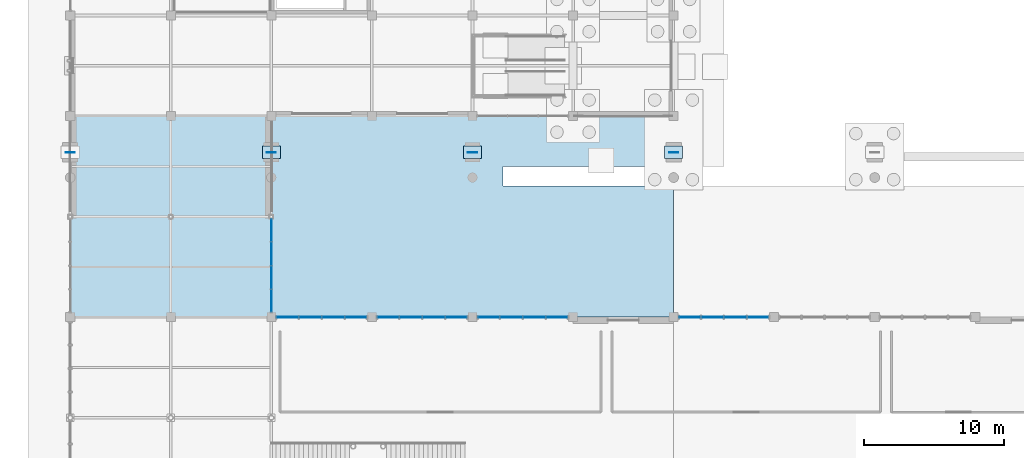
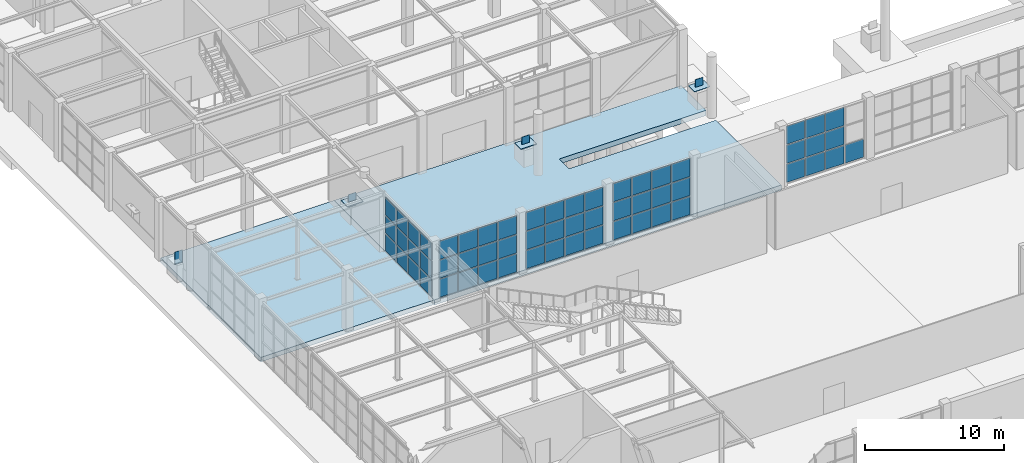
# One storey, part 40 of 75: 65 plates, 2 slabs, 5 elements without a shape of their own.
"""IFC4 building model written with IfcOpenShell, lengths in metres."""

from ifc_helpers import new_model, si_unit, direction, frame, origin, origin_2d, place, context, subcontext, project, spatial, polyline, rectangle, outline, extrude, material, layer, layer_set, type_object, element, aggregate, save


model = new_model("IFC4")

# Units and contexts
model_context = context("Model", 3, precision=1e-05, world=origin(), true_north=direction((0.0, 1.0)))
body_context = subcontext(model_context, "Body", "Model", "MODEL_VIEW")
ifc_project = project(units=[si_unit("LENGTHUNIT", "METRE"), si_unit("AREAUNIT", "SQUARE_METRE"), si_unit("VOLUMEUNIT", "CUBIC_METRE"), si_unit("PLANEANGLEUNIT", "RADIAN"), si_unit("MASSUNIT", "GRAM", prefix="KILO")], contexts=[model_context])

# Site, building, storey
site_placement = place(None, origin())
site = spatial("IfcSite", under=ifc_project, at=site_placement, CompositionType="ELEMENT")
building_placement = place(site_placement, origin())
building = spatial("IfcBuilding", under=site, at=building_placement, Name="Leyfeld Transit Interchange", CompositionType="ELEMENT")
storey_placement = place(building_placement, origin())
storey = spatial("IfcBuildingStorey", under=building, at=storey_placement, Name="L00", CompositionType="ELEMENT", Elevation=0.0)

# Curtain wall, plates
ifc_material_1 = material(Name="Anodised aluminium EN AW-6060 T66", Category="aluminium")
curtain_wall_type_1 = type_object("IfcCurtainWallType", Name="CW-SYS-PAS-7200", PredefinedType="NOTDEFINED", material=ifc_material_1)
curtain_wall_1_placement = place(storey_placement, origin())
curtain_wall_1 = element("IfcCurtainWall", 1, at=curtain_wall_1_placement, inside=storey, type_object=curtain_wall_type_1, Name="Curtain Wall CW-L00-010", PredefinedType="NOTDEFINED")
ifc_material_2 = material(Name="Triple low-E insulated glazing", Category="glass")
ifc_layer_1 = layer(ifc_material_2, 0.0380859375, Name="Triple low-E insulated glazing")
ifc_layer_set_1 = layer_set([ifc_layer_1], Name="Triple low-E insulated glazing")
plate_type_1 = type_object("IfcPlateType", Name="CW-PNL-GLZ-38", PredefinedType="CURTAIN_PANEL", material=ifc_layer_set_1)
plate_1_placement = place(storey_placement, frame((14.39990234375, 56.6201171875, 0.07373046875), z_axis=(0.0, 0.0, 1.0), x_axis=(0.0, -1.0, 0.0)))
plate_1 = element("IfcPlate", 2, at=plate_1_placement, type_object=plate_type_1, Name="Glazed Curtain Panel CW-L00-010-P01_1", PredefinedType="CURTAIN_PANEL", context=body_context, shape_type="SweptSolid", body=[
    extrude(rectangle(XDim=1.5830078125, YDim=0.0380859375, at=origin_2d()), origin(), (0.0, 0.0, 1.0), 1.512939453125),
])
plate_2_placement = place(storey_placement, frame((14.39990234375, 56.6201171875, 1.65869140625), z_axis=(0.0, 0.0, 1.0), x_axis=(0.0, -1.0, 0.0)))
plate_2 = element("IfcPlate", 3, at=plate_2_placement, type_object=plate_type_1, Name="Glazed Curtain Panel CW-L00-010-P01_2", PredefinedType="CURTAIN_PANEL", context=body_context, shape_type="SweptSolid", body=[
    extrude(rectangle(XDim=1.5830078125, YDim=0.0380859375, at=origin_2d()), origin(), (0.0, 0.0, 1.0), 1.512939453125),
])
plate_3_placement = place(storey_placement, frame((14.39990234375, 56.6201171875, 3.24365234375), z_axis=(0.0, 0.0, 1.0), x_axis=(0.0, -1.0, 0.0)))
plate_3 = element("IfcPlate", 4, at=plate_3_placement, type_object=plate_type_1, Name="Glazed Curtain Panel CW-L00-010-P01_3", PredefinedType="CURTAIN_PANEL", context=body_context, shape_type="SweptSolid", body=[
    extrude(rectangle(XDim=1.5830078125, YDim=0.0380859375, at=origin_2d()), origin(), (0.0, 0.0, 1.0), 1.512939453125),
])
plate_4_placement = place(storey_placement, frame((14.39990234375, 54.9462890625, 0.07373046875), z_axis=(0.0, 0.0, 1.0), x_axis=(0.0, -1.0, 0.0)))
plate_4 = element("IfcPlate", 5, at=plate_4_placement, type_object=plate_type_1, Name="Glazed Curtain Panel CW-L00-010-P02_1", PredefinedType="CURTAIN_PANEL", context=body_context, shape_type="SweptSolid", body=[
    extrude(rectangle(XDim=1.62060546875, YDim=0.0380859375, at=origin_2d()), origin(), (0.0, 0.0, 1.0), 1.512939453125),
])
plate_5_placement = place(storey_placement, frame((14.39990234375, 54.9462890625, 1.65869140625), z_axis=(0.0, 0.0, 1.0), x_axis=(0.0, -1.0, 0.0)))
plate_5 = element("IfcPlate", 6, at=plate_5_placement, type_object=plate_type_1, Name="Glazed Curtain Panel CW-L00-010-P02_2", PredefinedType="CURTAIN_PANEL", context=body_context, shape_type="SweptSolid", body=[
    extrude(rectangle(XDim=1.62060546875, YDim=0.0380859375, at=origin_2d()), origin(), (0.0, 0.0, 1.0), 1.512939453125),
])
plate_6_placement = place(storey_placement, frame((14.39990234375, 54.9462890625, 3.24365234375), z_axis=(0.0, 0.0, 1.0), x_axis=(0.0, -1.0, 0.0)))
plate_6 = element("IfcPlate", 7, at=plate_6_placement, type_object=plate_type_1, Name="Glazed Curtain Panel CW-L00-010-P02_3", PredefinedType="CURTAIN_PANEL", context=body_context, shape_type="SweptSolid", body=[
    extrude(rectangle(XDim=1.62060546875, YDim=0.0380859375, at=origin_2d()), origin(), (0.0, 0.0, 1.0), 1.512939453125),
])
plate_7_placement = place(storey_placement, frame((14.39990234375, 53.253662109375, 0.07373046875), z_axis=(0.0, 0.0, 1.0), x_axis=(0.0, -1.0, 0.0)))
plate_7 = element("IfcPlate", 8, at=plate_7_placement, type_object=plate_type_1, Name="Glazed Curtain Panel CW-L00-010-P03_1", PredefinedType="CURTAIN_PANEL", context=body_context, shape_type="SweptSolid", body=[
    extrude(rectangle(XDim=1.62060546875, YDim=0.0380859375, at=origin_2d()), origin(), (0.0, 0.0, 1.0), 1.512939453125),
])
plate_8_placement = place(storey_placement, frame((14.39990234375, 53.253662109375, 1.65869140625), z_axis=(0.0, 0.0, 1.0), x_axis=(0.0, -1.0, 0.0)))
plate_8 = element("IfcPlate", 9, at=plate_8_placement, type_object=plate_type_1, Name="Glazed Curtain Panel CW-L00-010-P03_2", PredefinedType="CURTAIN_PANEL", context=body_context, shape_type="SweptSolid", body=[
    extrude(rectangle(XDim=1.62060546875, YDim=0.0380859375, at=origin_2d()), origin(), (0.0, 0.0, 1.0), 1.512939453125),
])
plate_9_placement = place(storey_placement, frame((14.39990234375, 53.253662109375, 3.24365234375), z_axis=(0.0, 0.0, 1.0), x_axis=(0.0, -1.0, 0.0)))
plate_9 = element("IfcPlate", 10, at=plate_9_placement, type_object=plate_type_1, Name="Glazed Curtain Panel CW-L00-010-P03_3", PredefinedType="CURTAIN_PANEL", context=body_context, shape_type="SweptSolid", body=[
    extrude(rectangle(XDim=1.62060546875, YDim=0.0380859375, at=origin_2d()), origin(), (0.0, 0.0, 1.0), 1.512939453125),
])
plate_10_placement = place(storey_placement, frame((14.39990234375, 51.580078125, 0.07373046875), z_axis=(0.0, 0.0, 1.0), x_axis=(0.0, -1.0, 0.0)))
plate_10 = element("IfcPlate", 11, at=plate_10_placement, type_object=plate_type_1, Name="Glazed Curtain Panel CW-L00-010-P04_1", PredefinedType="CURTAIN_PANEL", context=body_context, shape_type="SweptSolid", body=[
    extrude(rectangle(XDim=1.5830078125, YDim=0.0380859375, at=origin_2d()), origin(), (0.0, 0.0, 1.0), 1.512939453125),
])
plate_11_placement = place(storey_placement, frame((14.39990234375, 51.580078125, 1.65869140625), z_axis=(0.0, 0.0, 1.0), x_axis=(0.0, -1.0, 0.0)))
plate_11 = element("IfcPlate", 12, at=plate_11_placement, type_object=plate_type_1, Name="Glazed Curtain Panel CW-L00-010-P04_2", PredefinedType="CURTAIN_PANEL", context=body_context, shape_type="SweptSolid", body=[
    extrude(rectangle(XDim=1.5830078125, YDim=0.0380859375, at=origin_2d()), origin(), (0.0, 0.0, 1.0), 1.512939453125),
])
plate_12_placement = place(storey_placement, frame((14.39990234375, 51.580078125, 3.24365234375), z_axis=(0.0, 0.0, 1.0), x_axis=(0.0, -1.0, 0.0)))
plate_12 = element("IfcPlate", 13, at=plate_12_placement, type_object=plate_type_1, Name="Glazed Curtain Panel CW-L00-010-P04_3", PredefinedType="CURTAIN_PANEL", context=body_context, shape_type="SweptSolid", body=[
    extrude(rectangle(XDim=1.5830078125, YDim=0.0380859375, at=origin_2d()), origin(), (0.0, 0.0, 1.0), 1.512939453125),
])
aggregate(curtain_wall_1, [plate_1, plate_2, plate_3, plate_4, plate_5, plate_6, plate_7, plate_8, plate_9, plate_10, plate_11, plate_12])

curtain_wall_type_2 = type_object("IfcCurtainWallType", Name="CW-SYS-ARC-7200", PredefinedType="NOTDEFINED", material=ifc_material_1)
curtain_wall_2_placement = place(storey_placement, origin())
curtain_wall_2 = element("IfcCurtainWall", 14, at=curtain_wall_2_placement, inside=storey, type_object=curtain_wall_type_2, Name="Curtain Wall CW-L00-011", PredefinedType="NOTDEFINED")
ifc_layer_2 = layer(ifc_material_2, 0.0439453125, Name="Triple low-E insulated glazing")
ifc_layer_set_2 = layer_set([ifc_layer_2], Name="Triple low-E insulated glazing")
plate_type_2 = type_object("IfcPlateType", Name="CW-PNL-GLZ-44", PredefinedType="CURTAIN_PANEL", material=ifc_layer_set_2)
plate_13_placement = place(storey_placement, frame((15.5576171875, 50.39990234375, 0.08349609375), z_axis=(0.0, 0.0, 1.0), x_axis=(1.0, 0.0, 0.0)))
plate_13 = element("IfcPlate", 15, at=plate_13_placement, type_object=plate_type_2, Name="Glazed Curtain Panel CW-L00-011-P01_1", PredefinedType="CURTAIN_PANEL", context=body_context, shape_type="SweptSolid", body=[
    extrude(rectangle(XDim=1.51806640625, YDim=0.0439453125, at=origin_2d()), origin(), (0.0, 0.0, 1.0), 1.589599609375),
])
plate_14_placement = place(storey_placement, frame((15.5576171875, 50.39990234375, 1.75537109375), z_axis=(0.0, 0.0, 1.0), x_axis=(1.0, 0.0, 0.0)))
plate_14 = element("IfcPlate", 16, at=plate_14_placement, type_object=plate_type_2, Name="Glazed Curtain Panel CW-L00-011-P01_2", PredefinedType="CURTAIN_PANEL", context=body_context, shape_type="SweptSolid", body=[
    extrude(rectangle(XDim=1.51806640625, YDim=0.0439453125, at=origin_2d()), origin(), (0.0, 0.0, 1.0), 1.589599609375),
])
plate_15_placement = place(storey_placement, frame((15.5576171875, 50.39990234375, 3.4267578125), z_axis=(0.0, 0.0, 1.0), x_axis=(1.0, 0.0, 0.0)))
plate_15 = element("IfcPlate", 17, at=plate_15_placement, type_object=plate_type_2, Name="Glazed Curtain Panel CW-L00-011-P01_3", PredefinedType="CURTAIN_PANEL", context=body_context, shape_type="SweptSolid", body=[
    extrude(rectangle(XDim=1.51806640625, YDim=0.0439453125, at=origin_2d()), origin(), (0.0, 0.0, 1.0), 1.589599609375),
])
plate_16_placement = place(storey_placement, frame((17.1787109375, 50.39990234375, 0.08349609375), z_axis=(0.0, 0.0, 1.0), x_axis=(1.0, 0.0, 0.0)))
plate_16 = element("IfcPlate", 18, at=plate_16_placement, type_object=plate_type_2, Name="Glazed Curtain Panel CW-L00-011-P02_1", PredefinedType="CURTAIN_PANEL", context=body_context, shape_type="SweptSolid", body=[
    extrude(rectangle(XDim=1.560546875, YDim=0.0439453125, at=origin_2d()), origin(), (0.0, 0.0, 1.0), 1.589599609375),
])
plate_17_placement = place(storey_placement, frame((17.1787109375, 50.39990234375, 1.75537109375), z_axis=(0.0, 0.0, 1.0), x_axis=(1.0, 0.0, 0.0)))
plate_17 = element("IfcPlate", 19, at=plate_17_placement, type_object=plate_type_2, Name="Glazed Curtain Panel CW-L00-011-P02_2", PredefinedType="CURTAIN_PANEL", context=body_context, shape_type="SweptSolid", body=[
    extrude(rectangle(XDim=1.560546875, YDim=0.0439453125, at=origin_2d()), origin(), (0.0, 0.0, 1.0), 1.589599609375),
])
plate_18_placement = place(storey_placement, frame((17.1787109375, 50.39990234375, 3.4267578125), z_axis=(0.0, 0.0, 1.0), x_axis=(1.0, 0.0, 0.0)))
plate_18 = element("IfcPlate", 20, at=plate_18_placement, type_object=plate_type_2, Name="Glazed Curtain Panel CW-L00-011-P02_3", PredefinedType="CURTAIN_PANEL", context=body_context, shape_type="SweptSolid", body=[
    extrude(rectangle(XDim=1.560546875, YDim=0.0439453125, at=origin_2d()), origin(), (0.0, 0.0, 1.0), 1.589599609375),
])
plate_19_placement = place(storey_placement, frame((18.8212890625, 50.39990234375, 0.08349609375), z_axis=(0.0, 0.0, 1.0), x_axis=(1.0, 0.0, 0.0)))
plate_19 = element("IfcPlate", 21, at=plate_19_placement, type_object=plate_type_2, Name="Glazed Curtain Panel CW-L00-011-P03_1", PredefinedType="CURTAIN_PANEL", context=body_context, shape_type="SweptSolid", body=[
    extrude(rectangle(XDim=1.560546875, YDim=0.0439453125, at=origin_2d()), origin(), (0.0, 0.0, 1.0), 1.589599609375),
])
plate_20_placement = place(storey_placement, frame((18.8212890625, 50.39990234375, 1.75537109375), z_axis=(0.0, 0.0, 1.0), x_axis=(1.0, 0.0, 0.0)))
plate_20 = element("IfcPlate", 22, at=plate_20_placement, type_object=plate_type_2, Name="Glazed Curtain Panel CW-L00-011-P03_2", PredefinedType="CURTAIN_PANEL", context=body_context, shape_type="SweptSolid", body=[
    extrude(rectangle(XDim=1.560546875, YDim=0.0439453125, at=origin_2d()), origin(), (0.0, 0.0, 1.0), 1.589599609375),
])
plate_21_placement = place(storey_placement, frame((18.8212890625, 50.39990234375, 3.4267578125), z_axis=(0.0, 0.0, 1.0), x_axis=(1.0, 0.0, 0.0)))
plate_21 = element("IfcPlate", 23, at=plate_21_placement, type_object=plate_type_2, Name="Glazed Curtain Panel CW-L00-011-P03_3", PredefinedType="CURTAIN_PANEL", context=body_context, shape_type="SweptSolid", body=[
    extrude(rectangle(XDim=1.560546875, YDim=0.0439453125, at=origin_2d()), origin(), (0.0, 0.0, 1.0), 1.589599609375),
])
plate_22_placement = place(storey_placement, frame((20.4423828125, 50.39990234375, 0.08349609375), z_axis=(0.0, 0.0, 1.0), x_axis=(1.0, 0.0, 0.0)))
plate_22 = element("IfcPlate", 24, at=plate_22_placement, type_object=plate_type_2, Name="Glazed Curtain Panel CW-L00-011-P04_1", PredefinedType="CURTAIN_PANEL", context=body_context, shape_type="SweptSolid", body=[
    extrude(rectangle(XDim=1.51806640625, YDim=0.0439453125, at=origin_2d()), origin(), (0.0, 0.0, 1.0), 1.589599609375),
])
plate_23_placement = place(storey_placement, frame((20.4423828125, 50.39990234375, 1.75537109375), z_axis=(0.0, 0.0, 1.0), x_axis=(1.0, 0.0, 0.0)))
plate_23 = element("IfcPlate", 25, at=plate_23_placement, type_object=plate_type_2, Name="Glazed Curtain Panel CW-L00-011-P04_2", PredefinedType="CURTAIN_PANEL", context=body_context, shape_type="SweptSolid", body=[
    extrude(rectangle(XDim=1.51806640625, YDim=0.0439453125, at=origin_2d()), origin(), (0.0, 0.0, 1.0), 1.589599609375),
])
plate_24_placement = place(storey_placement, frame((20.4423828125, 50.39990234375, 3.4267578125), z_axis=(0.0, 0.0, 1.0), x_axis=(1.0, 0.0, 0.0)))
plate_24 = element("IfcPlate", 26, at=plate_24_placement, type_object=plate_type_2, Name="Glazed Curtain Panel CW-L00-011-P04_3", PredefinedType="CURTAIN_PANEL", context=body_context, shape_type="SweptSolid", body=[
    extrude(rectangle(XDim=1.51806640625, YDim=0.0439453125, at=origin_2d()), origin(), (0.0, 0.0, 1.0), 1.589599609375),
])
aggregate(curtain_wall_2, [plate_13, plate_14, plate_15, plate_16, plate_17, plate_18, plate_19, plate_20, plate_21, plate_22, plate_23, plate_24])

curtain_wall_3_placement = place(storey_placement, origin())
curtain_wall_3 = element("IfcCurtainWall", 27, at=curtain_wall_3_placement, inside=storey, type_object=curtain_wall_type_2, Name="Curtain Wall CW-L00-012", PredefinedType="NOTDEFINED")
plate_25_placement = place(storey_placement, frame((22.757568359375, 50.39990234375, 0.08349609375), z_axis=(0.0, 0.0, 1.0), x_axis=(1.0, 0.0, 0.0)))
plate_25 = element("IfcPlate", 28, at=plate_25_placement, type_object=plate_type_2, Name="Glazed Curtain Panel CW-L00-012-P01_1", PredefinedType="CURTAIN_PANEL", context=body_context, shape_type="SweptSolid", body=[
    extrude(rectangle(XDim=1.51806640625, YDim=0.0439453125, at=origin_2d()), origin(), (0.0, 0.0, 1.0), 1.589599609375),
])
plate_26_placement = place(storey_placement, frame((22.757568359375, 50.39990234375, 1.75537109375), z_axis=(0.0, 0.0, 1.0), x_axis=(1.0, 0.0, 0.0)))
plate_26 = element("IfcPlate", 29, at=plate_26_placement, type_object=plate_type_2, Name="Glazed Curtain Panel CW-L00-012-P01_2", PredefinedType="CURTAIN_PANEL", context=body_context, shape_type="SweptSolid", body=[
    extrude(rectangle(XDim=1.51806640625, YDim=0.0439453125, at=origin_2d()), origin(), (0.0, 0.0, 1.0), 1.589599609375),
])
plate_27_placement = place(storey_placement, frame((22.757568359375, 50.39990234375, 3.4267578125), z_axis=(0.0, 0.0, 1.0), x_axis=(1.0, 0.0, 0.0)))
plate_27 = element("IfcPlate", 30, at=plate_27_placement, type_object=plate_type_2, Name="Glazed Curtain Panel CW-L00-012-P01_3", PredefinedType="CURTAIN_PANEL", context=body_context, shape_type="SweptSolid", body=[
    extrude(rectangle(XDim=1.51806640625, YDim=0.0439453125, at=origin_2d()), origin(), (0.0, 0.0, 1.0), 1.589599609375),
])
plate_28_placement = place(storey_placement, frame((24.37890625, 50.39990234375, 0.08349609375), z_axis=(0.0, 0.0, 1.0), x_axis=(1.0, 0.0, 0.0)))
plate_28 = element("IfcPlate", 31, at=plate_28_placement, type_object=plate_type_2, Name="Glazed Curtain Panel CW-L00-012-P02_1", PredefinedType="CURTAIN_PANEL", context=body_context, shape_type="SweptSolid", body=[
    extrude(rectangle(XDim=1.560546875, YDim=0.0439453125, at=origin_2d()), origin(), (0.0, 0.0, 1.0), 1.589599609375),
])
plate_29_placement = place(storey_placement, frame((24.37890625, 50.39990234375, 1.75537109375), z_axis=(0.0, 0.0, 1.0), x_axis=(1.0, 0.0, 0.0)))
plate_29 = element("IfcPlate", 32, at=plate_29_placement, type_object=plate_type_2, Name="Glazed Curtain Panel CW-L00-012-P02_2", PredefinedType="CURTAIN_PANEL", context=body_context, shape_type="SweptSolid", body=[
    extrude(rectangle(XDim=1.560546875, YDim=0.0439453125, at=origin_2d()), origin(), (0.0, 0.0, 1.0), 1.589599609375),
])
plate_30_placement = place(storey_placement, frame((24.37890625, 50.39990234375, 3.4267578125), z_axis=(0.0, 0.0, 1.0), x_axis=(1.0, 0.0, 0.0)))
plate_30 = element("IfcPlate", 33, at=plate_30_placement, type_object=plate_type_2, Name="Glazed Curtain Panel CW-L00-012-P02_3", PredefinedType="CURTAIN_PANEL", context=body_context, shape_type="SweptSolid", body=[
    extrude(rectangle(XDim=1.560546875, YDim=0.0439453125, at=origin_2d()), origin(), (0.0, 0.0, 1.0), 1.589599609375),
])
plate_31_placement = place(storey_placement, frame((26.021240234375, 50.39990234375, 0.08349609375), z_axis=(0.0, 0.0, 1.0), x_axis=(1.0, 0.0, 0.0)))
plate_31 = element("IfcPlate", 34, at=plate_31_placement, type_object=plate_type_2, Name="Glazed Curtain Panel CW-L00-012-P03_1", PredefinedType="CURTAIN_PANEL", context=body_context, shape_type="SweptSolid", body=[
    extrude(rectangle(XDim=1.560546875, YDim=0.0439453125, at=origin_2d()), origin(), (0.0, 0.0, 1.0), 1.589599609375),
])
plate_32_placement = place(storey_placement, frame((26.021240234375, 50.39990234375, 1.75537109375), z_axis=(0.0, 0.0, 1.0), x_axis=(1.0, 0.0, 0.0)))
plate_32 = element("IfcPlate", 35, at=plate_32_placement, type_object=plate_type_2, Name="Glazed Curtain Panel CW-L00-012-P03_2", PredefinedType="CURTAIN_PANEL", context=body_context, shape_type="SweptSolid", body=[
    extrude(rectangle(XDim=1.560546875, YDim=0.0439453125, at=origin_2d()), origin(), (0.0, 0.0, 1.0), 1.589599609375),
])
plate_33_placement = place(storey_placement, frame((26.021240234375, 50.39990234375, 3.4267578125), z_axis=(0.0, 0.0, 1.0), x_axis=(1.0, 0.0, 0.0)))
plate_33 = element("IfcPlate", 36, at=plate_33_placement, type_object=plate_type_2, Name="Glazed Curtain Panel CW-L00-012-P03_3", PredefinedType="CURTAIN_PANEL", context=body_context, shape_type="SweptSolid", body=[
    extrude(rectangle(XDim=1.560546875, YDim=0.0439453125, at=origin_2d()), origin(), (0.0, 0.0, 1.0), 1.589599609375),
])
plate_34_placement = place(storey_placement, frame((27.642578125, 50.39990234375, 0.08349609375), z_axis=(0.0, 0.0, 1.0), x_axis=(1.0, 0.0, 0.0)))
plate_34 = element("IfcPlate", 37, at=plate_34_placement, type_object=plate_type_2, Name="Glazed Curtain Panel CW-L00-012-P04_1", PredefinedType="CURTAIN_PANEL", context=body_context, shape_type="SweptSolid", body=[
    extrude(rectangle(XDim=1.51806640625, YDim=0.0439453125, at=origin_2d()), origin(), (0.0, 0.0, 1.0), 1.589599609375),
])
plate_35_placement = place(storey_placement, frame((27.642578125, 50.39990234375, 1.75537109375), z_axis=(0.0, 0.0, 1.0), x_axis=(1.0, 0.0, 0.0)))
plate_35 = element("IfcPlate", 38, at=plate_35_placement, type_object=plate_type_2, Name="Glazed Curtain Panel CW-L00-012-P04_2", PredefinedType="CURTAIN_PANEL", context=body_context, shape_type="SweptSolid", body=[
    extrude(rectangle(XDim=1.51806640625, YDim=0.0439453125, at=origin_2d()), origin(), (0.0, 0.0, 1.0), 1.589599609375),
])
plate_36_placement = place(storey_placement, frame((27.642578125, 50.39990234375, 3.4267578125), z_axis=(0.0, 0.0, 1.0), x_axis=(1.0, 0.0, 0.0)))
plate_36 = element("IfcPlate", 39, at=plate_36_placement, type_object=plate_type_2, Name="Glazed Curtain Panel CW-L00-012-P04_3", PredefinedType="CURTAIN_PANEL", context=body_context, shape_type="SweptSolid", body=[
    extrude(rectangle(XDim=1.51806640625, YDim=0.0439453125, at=origin_2d()), origin(), (0.0, 0.0, 1.0), 1.589599609375),
])
aggregate(curtain_wall_3, [plate_25, plate_26, plate_27, plate_28, plate_29, plate_30, plate_31, plate_32, plate_33, plate_34, plate_35, plate_36])

curtain_wall_4_placement = place(storey_placement, origin())
curtain_wall_4 = element("IfcCurtainWall", 40, at=curtain_wall_4_placement, inside=storey, type_object=curtain_wall_type_2, Name="Curtain Wall CW-L00-013", PredefinedType="NOTDEFINED")
plate_37_placement = place(storey_placement, frame((29.95751953125, 50.39990234375, 0.08349609375), z_axis=(0.0, 0.0, 1.0), x_axis=(1.0, 0.0, 0.0)))
plate_37 = element("IfcPlate", 41, at=plate_37_placement, type_object=plate_type_2, Name="Glazed Curtain Panel CW-L00-013-P01_1", PredefinedType="CURTAIN_PANEL", context=body_context, shape_type="SweptSolid", body=[
    extrude(rectangle(XDim=1.51806640625, YDim=0.0439453125, at=origin_2d()), origin(), (0.0, 0.0, 1.0), 1.589599609375),
])
plate_38_placement = place(storey_placement, frame((29.95751953125, 50.39990234375, 1.75537109375), z_axis=(0.0, 0.0, 1.0), x_axis=(1.0, 0.0, 0.0)))
plate_38 = element("IfcPlate", 42, at=plate_38_placement, type_object=plate_type_2, Name="Glazed Curtain Panel CW-L00-013-P01_2", PredefinedType="CURTAIN_PANEL", context=body_context, shape_type="SweptSolid", body=[
    extrude(rectangle(XDim=1.51806640625, YDim=0.0439453125, at=origin_2d()), origin(), (0.0, 0.0, 1.0), 1.589599609375),
])
plate_39_placement = place(storey_placement, frame((29.95751953125, 50.39990234375, 3.4267578125), z_axis=(0.0, 0.0, 1.0), x_axis=(1.0, 0.0, 0.0)))
plate_39 = element("IfcPlate", 43, at=plate_39_placement, type_object=plate_type_2, Name="Glazed Curtain Panel CW-L00-013-P01_3", PredefinedType="CURTAIN_PANEL", context=body_context, shape_type="SweptSolid", body=[
    extrude(rectangle(XDim=1.51806640625, YDim=0.0439453125, at=origin_2d()), origin(), (0.0, 0.0, 1.0), 1.589599609375),
])
plate_40_placement = place(storey_placement, frame((31.57861328125, 50.39990234375, 0.08349609375), z_axis=(0.0, 0.0, 1.0), x_axis=(1.0, 0.0, 0.0)))
plate_40 = element("IfcPlate", 44, at=plate_40_placement, type_object=plate_type_2, Name="Glazed Curtain Panel CW-L00-013-P02_1", PredefinedType="CURTAIN_PANEL", context=body_context, shape_type="SweptSolid", body=[
    extrude(rectangle(XDim=1.560546875, YDim=0.0439453125, at=origin_2d()), origin(), (0.0, 0.0, 1.0), 1.589599609375),
])
plate_41_placement = place(storey_placement, frame((31.57861328125, 50.39990234375, 1.75537109375), z_axis=(0.0, 0.0, 1.0), x_axis=(1.0, 0.0, 0.0)))
plate_41 = element("IfcPlate", 45, at=plate_41_placement, type_object=plate_type_2, Name="Glazed Curtain Panel CW-L00-013-P02_2", PredefinedType="CURTAIN_PANEL", context=body_context, shape_type="SweptSolid", body=[
    extrude(rectangle(XDim=1.560546875, YDim=0.0439453125, at=origin_2d()), origin(), (0.0, 0.0, 1.0), 1.589599609375),
])
plate_42_placement = place(storey_placement, frame((31.57861328125, 50.39990234375, 3.4267578125), z_axis=(0.0, 0.0, 1.0), x_axis=(1.0, 0.0, 0.0)))
plate_42 = element("IfcPlate", 46, at=plate_42_placement, type_object=plate_type_2, Name="Glazed Curtain Panel CW-L00-013-P02_3", PredefinedType="CURTAIN_PANEL", context=body_context, shape_type="SweptSolid", body=[
    extrude(rectangle(XDim=1.560546875, YDim=0.0439453125, at=origin_2d()), origin(), (0.0, 0.0, 1.0), 1.589599609375),
])
plate_43_placement = place(storey_placement, frame((33.22119140625, 50.39990234375, 0.08349609375), z_axis=(0.0, 0.0, 1.0), x_axis=(1.0, 0.0, 0.0)))
plate_43 = element("IfcPlate", 47, at=plate_43_placement, type_object=plate_type_2, Name="Glazed Curtain Panel CW-L00-013-P03_1", PredefinedType="CURTAIN_PANEL", context=body_context, shape_type="SweptSolid", body=[
    extrude(rectangle(XDim=1.560546875, YDim=0.0439453125, at=origin_2d()), origin(), (0.0, 0.0, 1.0), 1.589599609375),
])
plate_44_placement = place(storey_placement, frame((33.22119140625, 50.39990234375, 1.75537109375), z_axis=(0.0, 0.0, 1.0), x_axis=(1.0, 0.0, 0.0)))
plate_44 = element("IfcPlate", 48, at=plate_44_placement, type_object=plate_type_2, Name="Glazed Curtain Panel CW-L00-013-P03_2", PredefinedType="CURTAIN_PANEL", context=body_context, shape_type="SweptSolid", body=[
    extrude(rectangle(XDim=1.560546875, YDim=0.0439453125, at=origin_2d()), origin(), (0.0, 0.0, 1.0), 1.589599609375),
])
plate_45_placement = place(storey_placement, frame((33.22119140625, 50.39990234375, 3.4267578125), z_axis=(0.0, 0.0, 1.0), x_axis=(1.0, 0.0, 0.0)))
plate_45 = element("IfcPlate", 49, at=plate_45_placement, type_object=plate_type_2, Name="Glazed Curtain Panel CW-L00-013-P03_3", PredefinedType="CURTAIN_PANEL", context=body_context, shape_type="SweptSolid", body=[
    extrude(rectangle(XDim=1.560546875, YDim=0.0439453125, at=origin_2d()), origin(), (0.0, 0.0, 1.0), 1.589599609375),
])
plate_46_placement = place(storey_placement, frame((34.842529296875, 50.39990234375, 0.08349609375), z_axis=(0.0, 0.0, 1.0), x_axis=(1.0, 0.0, 0.0)))
plate_46 = element("IfcPlate", 50, at=plate_46_placement, type_object=plate_type_2, Name="Glazed Curtain Panel CW-L00-013-P04_1", PredefinedType="CURTAIN_PANEL", context=body_context, shape_type="SweptSolid", body=[
    extrude(rectangle(XDim=1.51806640625, YDim=0.0439453125, at=origin_2d()), origin(), (0.0, 0.0, 1.0), 1.589599609375),
])
plate_47_placement = place(storey_placement, frame((34.842529296875, 50.39990234375, 1.75537109375), z_axis=(0.0, 0.0, 1.0), x_axis=(1.0, 0.0, 0.0)))
plate_47 = element("IfcPlate", 51, at=plate_47_placement, type_object=plate_type_2, Name="Glazed Curtain Panel CW-L00-013-P04_2", PredefinedType="CURTAIN_PANEL", context=body_context, shape_type="SweptSolid", body=[
    extrude(rectangle(XDim=1.51806640625, YDim=0.0439453125, at=origin_2d()), origin(), (0.0, 0.0, 1.0), 1.589599609375),
])
plate_48_placement = place(storey_placement, frame((34.842529296875, 50.39990234375, 3.4267578125), z_axis=(0.0, 0.0, 1.0), x_axis=(1.0, 0.0, 0.0)))
plate_48 = element("IfcPlate", 52, at=plate_48_placement, type_object=plate_type_2, Name="Glazed Curtain Panel CW-L00-013-P04_3", PredefinedType="CURTAIN_PANEL", context=body_context, shape_type="SweptSolid", body=[
    extrude(rectangle(XDim=1.51806640625, YDim=0.0439453125, at=origin_2d()), origin(), (0.0, 0.0, 1.0), 1.589599609375),
])
aggregate(curtain_wall_4, [plate_37, plate_38, plate_39, plate_40, plate_41, plate_42, plate_43, plate_44, plate_45, plate_46, plate_47, plate_48])

curtain_wall_5_placement = place(storey_placement, origin())
curtain_wall_5 = element("IfcCurtainWall", 53, at=curtain_wall_5_placement, inside=storey, type_object=curtain_wall_type_2, Name="Curtain Wall CW-L00-014", PredefinedType="NOTDEFINED")
plate_49_placement = place(storey_placement, frame((44.357421875, 50.39990234375, 0.08349609375), z_axis=(0.0, 0.0, 1.0), x_axis=(1.0, 0.0, 0.0)))
plate_49 = element("IfcPlate", 54, at=plate_49_placement, type_object=plate_type_2, Name="Glazed Curtain Panel CW-L00-014-P01_1", PredefinedType="CURTAIN_PANEL", context=body_context, shape_type="SweptSolid", body=[
    extrude(rectangle(XDim=1.51806640625, YDim=0.0439453125, at=origin_2d()), origin(), (0.0, 0.0, 1.0), 1.589599609375),
])
plate_50_placement = place(storey_placement, frame((44.357421875, 50.39990234375, 1.75537109375), z_axis=(0.0, 0.0, 1.0), x_axis=(1.0, 0.0, 0.0)))
plate_50 = element("IfcPlate", 55, at=plate_50_placement, type_object=plate_type_2, Name="Glazed Curtain Panel CW-L00-014-P01_2", PredefinedType="CURTAIN_PANEL", context=body_context, shape_type="SweptSolid", body=[
    extrude(rectangle(XDim=1.51806640625, YDim=0.0439453125, at=origin_2d()), origin(), (0.0, 0.0, 1.0), 1.589599609375),
])
plate_51_placement = place(storey_placement, frame((44.357421875, 50.39990234375, 3.4267578125), z_axis=(0.0, 0.0, 1.0), x_axis=(1.0, 0.0, 0.0)))
plate_51 = element("IfcPlate", 56, at=plate_51_placement, type_object=plate_type_2, Name="Glazed Curtain Panel CW-L00-014-P01_3", PredefinedType="CURTAIN_PANEL", context=body_context, shape_type="SweptSolid", body=[
    extrude(rectangle(XDim=1.51806640625, YDim=0.0439453125, at=origin_2d()), origin(), (0.0, 0.0, 1.0), 1.589599609375),
])
plate_52_placement = place(storey_placement, frame((45.978759765625, 50.39990234375, 0.08349609375), z_axis=(0.0, 0.0, 1.0), x_axis=(1.0, 0.0, 0.0)))
plate_52 = element("IfcPlate", 57, at=plate_52_placement, type_object=plate_type_2, Name="Glazed Curtain Panel CW-L00-014-P02_1", PredefinedType="CURTAIN_PANEL", context=body_context, shape_type="SweptSolid", body=[
    extrude(rectangle(XDim=1.560546875, YDim=0.0439453125, at=origin_2d()), origin(), (0.0, 0.0, 1.0), 1.589599609375),
])
plate_53_placement = place(storey_placement, frame((45.978759765625, 50.39990234375, 1.75537109375), z_axis=(0.0, 0.0, 1.0), x_axis=(1.0, 0.0, 0.0)))
plate_53 = element("IfcPlate", 58, at=plate_53_placement, type_object=plate_type_2, Name="Glazed Curtain Panel CW-L00-014-P02_2", PredefinedType="CURTAIN_PANEL", context=body_context, shape_type="SweptSolid", body=[
    extrude(rectangle(XDim=1.560546875, YDim=0.0439453125, at=origin_2d()), origin(), (0.0, 0.0, 1.0), 1.589599609375),
])
plate_54_placement = place(storey_placement, frame((45.978759765625, 50.39990234375, 3.4267578125), z_axis=(0.0, 0.0, 1.0), x_axis=(1.0, 0.0, 0.0)))
plate_54 = element("IfcPlate", 59, at=plate_54_placement, type_object=plate_type_2, Name="Glazed Curtain Panel CW-L00-014-P02_3", PredefinedType="CURTAIN_PANEL", context=body_context, shape_type="SweptSolid", body=[
    extrude(rectangle(XDim=1.560546875, YDim=0.0439453125, at=origin_2d()), origin(), (0.0, 0.0, 1.0), 1.589599609375),
])
plate_55_placement = place(storey_placement, frame((47.621337890625, 50.39990234375, 0.08349609375), z_axis=(0.0, 0.0, 1.0), x_axis=(1.0, 0.0, 0.0)))
plate_55 = element("IfcPlate", 60, at=plate_55_placement, type_object=plate_type_2, Name="Glazed Curtain Panel CW-L00-014-P03_1", PredefinedType="CURTAIN_PANEL", context=body_context, shape_type="SweptSolid", body=[
    extrude(rectangle(XDim=1.560546875, YDim=0.0439453125, at=origin_2d()), origin(), (0.0, 0.0, 1.0), 1.589599609375),
])
plate_56_placement = place(storey_placement, frame((47.621337890625, 50.39990234375, 1.75537109375), z_axis=(0.0, 0.0, 1.0), x_axis=(1.0, 0.0, 0.0)))
plate_56 = element("IfcPlate", 61, at=plate_56_placement, type_object=plate_type_2, Name="Glazed Curtain Panel CW-L00-014-P03_2", PredefinedType="CURTAIN_PANEL", context=body_context, shape_type="SweptSolid", body=[
    extrude(rectangle(XDim=1.560546875, YDim=0.0439453125, at=origin_2d()), origin(), (0.0, 0.0, 1.0), 1.589599609375),
])
plate_57_placement = place(storey_placement, frame((47.621337890625, 50.39990234375, 3.4267578125), z_axis=(0.0, 0.0, 1.0), x_axis=(1.0, 0.0, 0.0)))
plate_57 = element("IfcPlate", 62, at=plate_57_placement, type_object=plate_type_2, Name="Glazed Curtain Panel CW-L00-014-P03_3", PredefinedType="CURTAIN_PANEL", context=body_context, shape_type="SweptSolid", body=[
    extrude(rectangle(XDim=1.560546875, YDim=0.0439453125, at=origin_2d()), origin(), (0.0, 0.0, 1.0), 1.589599609375),
])
plate_58_placement = place(storey_placement, frame((49.242431640625, 50.39990234375, 0.08349609375), z_axis=(0.0, 0.0, 1.0), x_axis=(1.0, 0.0, 0.0)))
plate_58 = element("IfcPlate", 63, at=plate_58_placement, type_object=plate_type_2, Name="Glazed Curtain Panel CW-L00-014-P04_1", PredefinedType="CURTAIN_PANEL", context=body_context, shape_type="SweptSolid", body=[
    extrude(rectangle(XDim=1.51806640625, YDim=0.0439453125, at=origin_2d()), origin(), (0.0, 0.0, 1.0), 1.589599609375),
])
aggregate(curtain_wall_5, [plate_49, plate_50, plate_51, plate_52, plate_53, plate_54, plate_55, plate_56, plate_57, plate_58])

# Plates
ifc_material_3 = material(Name="Steel S355J2", Category="steel")
ifc_layer_3 = layer(ifc_material_3, 0.035888671875, Name="Steel S355J2")
ifc_layer_set_3 = layer_set([ifc_layer_3], Name="Steel S355J2")
plate_type_3 = type_object("IfcPlateType", Name="PLT-BASE-36", PredefinedType="USERDEFINED", material=ifc_layer_set_3)
for number, where, z_axis, x_axis, name in (
    (64, (14.39990234375, 62.199951171875, 1.5), (0.0, 0.0, 1.0), (1.0, 0.0, 0.0), "Arch Baseplate AR-01 12"),
    (65, (28.800048828125, 62.199951171875, 1.5), (0.0, 0.0, 1.0), (1.0, 0.0, 0.0), "Arch Baseplate AR-02 12"),
    (66, (43.199951171875, 62.199951171875, 1.5), (0.0, 0.0, 1.0), (1.0, 0.0, 0.0), "Arch Baseplate AR-03 12"),
):
    element("IfcPlate", number, at=place(storey_placement, frame(where, z_axis=z_axis, x_axis=x_axis)), inside=storey, type_object=plate_type_3, Name=name, ObjectType="BASE_PLATE", PredefinedType="USERDEFINED", context=body_context, shape_type="SweptSolid", body=[
        extrude(rectangle(XDim=1.300048828125, YDim=0.89990234375, at=origin_2d()), origin(), (0.0, 0.0, 1.0), 0.035888671875),
    ])
ifc_material_4 = material(Name="Steel S355J2 - Ochre Arch", Category="steel")
ifc_layer_4 = layer(ifc_material_4, 0.030029296875, Name="Steel S355J2 - Ochre Arch")
ifc_layer_set_4 = layer_set([ifc_layer_4], Name="Steel S355J2 - Ochre Arch")
plate_type_4 = type_object("IfcPlateType", Name="PLT-CAP-30", PredefinedType="USERDEFINED", material=ifc_layer_set_4)
for number, where, z_axis, x_axis, name in (
    (67, (0.0, 62.199951171875, 1.099853515625), (0.0, 0.0, 1.0), (1.0, 0.0, 0.0), "Arch End Cap Plate GP-W 12"),
    (68, (14.39990234375, 62.199951171875, 1.099853515625), (0.0, 0.0, 1.0), (1.0, 0.0, 0.0), "Arch End Cap Plate AR-01 12"),
    (69, (28.800048828125, 62.199951171875, 1.099853515625), (0.0, 0.0, 1.0), (1.0, 0.0, 0.0), "Arch End Cap Plate AR-02 12"),
    (70, (43.199951171875, 62.199951171875, 1.099853515625), (0.0, 0.0, 1.0), (1.0, 0.0, 0.0), "Arch End Cap Plate AR-03 12"),
):
    element("IfcPlate", number, at=place(storey_placement, frame(where, z_axis=z_axis, x_axis=x_axis)), inside=storey, type_object=plate_type_4, Name=name, ObjectType="FLANGE_PLATE", PredefinedType="USERDEFINED", context=body_context, shape_type="SweptSolid", body=[
        extrude(rectangle(XDim=0.64990234375, YDim=0.030029296875, at=origin_2d()), origin(), (0.0, 0.0, 1.0), 1.10009765625),
    ])

# Slabs
ifc_material_5 = material(Name="Concrete C35/45", Category="concrete")
ifc_layer_5 = layer(ifc_material_5, 0.39990234375, Name="Concrete C35/45")
ifc_layer_set_5 = layer_set([ifc_layer_5], Name="Concrete C35/45")
slab_type_1 = type_object("IfcSlabType", Name="SLB-FLR-400", PredefinedType="FLOOR", material=ifc_layer_set_5)
slab_1_placement = place(storey_placement, frame((0.0, 0.0, -0.39990234375)))
element("IfcSlab", 71, at=slab_1_placement, inside=storey, type_object=slab_type_1, Name="Slab PASS_NS L00 B1", PredefinedType="FLOOR", context=body_context, shape_type="SweptSolid", body=[
    extrude(outline(polyline([(14.39990234375, 64.800048828125), (0.0, 64.800048828125), (0.0, 50.39990234375), (14.39990234375, 50.39990234375), (14.39990234375, 64.800048828125)])), origin(), (0.0, 0.0, 1.0), 0.39990234375),
])
ifc_material_6 = material(Name="Concrete C40/50", Category="concrete")
ifc_layer_6 = layer(ifc_material_6, 0.449951171875, Name="Concrete C40/50")
ifc_layer_set_6 = layer_set([ifc_layer_6], Name="Concrete C40/50")
slab_type_2 = type_object("IfcSlabType", Name="SLB-TRF-450", PredefinedType="FLOOR", material=ifc_layer_set_6)
slab_2_placement = place(storey_placement, frame((0.0, 0.0, -0.449951171875)))
element("IfcSlab", 72, at=slab_2_placement, inside=storey, type_object=slab_type_2, Name="Outdoor Roof Terrace PLZ_LID3 L00", PredefinedType="FLOOR", context=body_context, shape_type="SweptSolid", body=[
    extrude(outline(polyline([(43.199951171875, 59.800048828125), (31.0, 59.800048828125), (31.0, 61.199951171875), (43.199951171875, 61.199951171875), (43.199951171875, 64.800048828125), (14.39990234375, 64.800048828125), (14.39990234375, 50.39990234375), (43.199951171875, 50.39990234375), (43.199951171875, 59.800048828125)])), origin(), (0.0, 0.0, 1.0), 0.449951171875),
])

save(model, "model.ifc")
